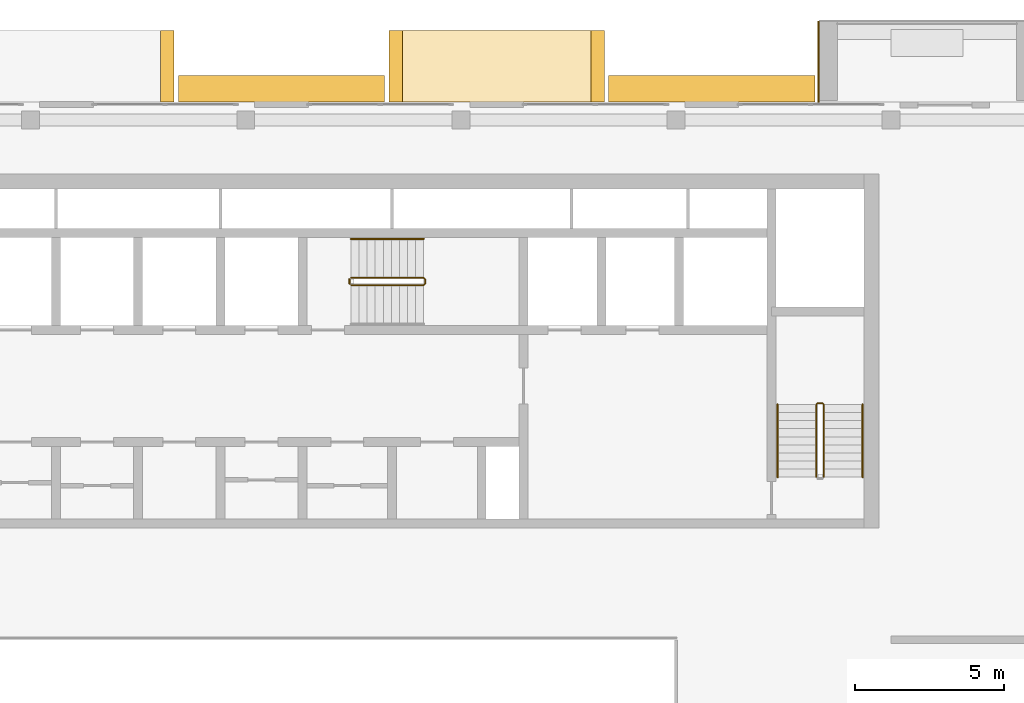
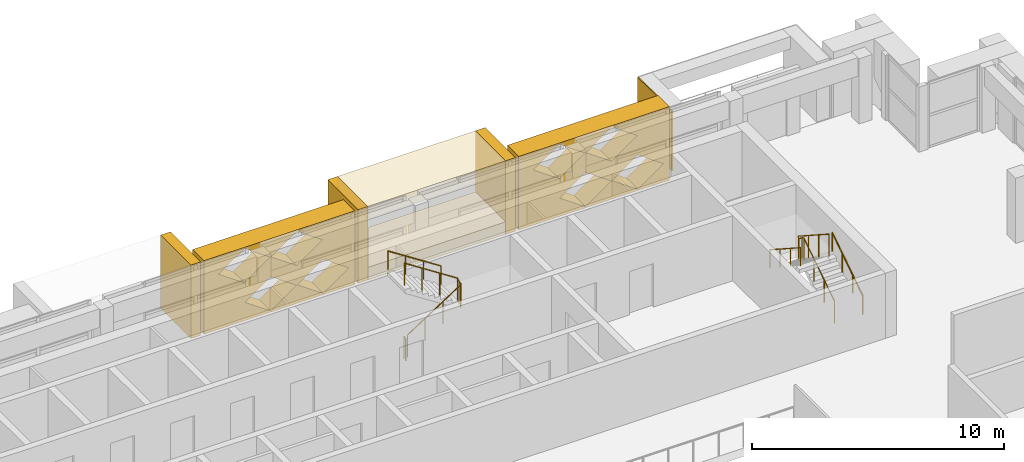
# One storey, part 21 of 22: 8 coverings, 6 railings.
"""IFC4 building model written with IfcOpenShell, lengths in metres."""

import ifcopenshell
import ifcopenshell.guid

model = None  # the IFC model being written
_history = None  # IfcOwnerHistory: only IFC2X3 demands one
_inside = {}  # id of a spatial element -> (the spatial element, [elements in it])
_under = {}  # id of a project, library or spatial element -> (it, [spatial elements below it])
_declared = {}  # id of a project -> (the project, [libraries it declares])
_typed = {}  # id of a type object -> (the type object, [elements of that type])
_made_of = {}  # id of a material, layer set ... -> (it, [elements and type objects made of it])


def new_model(schema):
    """Start an empty IFC model of exactly this schema.

    Asked for "IFC4X3", IfcOpenShell would pick the latest addendum, in which some entities
    have other attributes; the version numbers below select the first issue.
    IFC2X3 requires an IfcOwnerHistory on every rooted entity: one is made here for all.
    """
    global model, _history
    if schema == "IFC4X3":
        model = ifcopenshell.file(schema_version=(4, 3, 0, 0))
    else:
        model = ifcopenshell.file(schema=schema)
    _inside.clear()
    _under.clear()
    _declared.clear()
    _typed.clear()
    _made_of.clear()
    _history = None
    if model.schema == "IFC2X3":
        org = make("IfcOrganization", Name="unknown")
        user = make(
            "IfcPersonAndOrganization",
            ThePerson=make("IfcPerson", FamilyName="unknown"),
            TheOrganization=org,
        )
        app = make(
            "IfcApplication",
            ApplicationDeveloper=org,
            Version="unknown",
            ApplicationFullName="unknown",
            ApplicationIdentifier="unknown",
        )
        _history = make(
            "IfcOwnerHistory",
            OwningUser=user,
            OwningApplication=app,
            ChangeAction="ADDED",
            CreationDate=0,
        )
    return model


def make(cls, **values):
    """One entity of the class cls with the attributes given. An attribute that is None is left unset."""
    return model.create_entity(
        cls, **{name: value for name, value in values.items() if value is not None}
    )


def rooted(cls, **values):
    """An entity with a GlobalId (a new one), such as an element, a storey or a relation."""
    return make(cls, GlobalId=ifcopenshell.guid.new(), OwnerHistory=_history, **values)


def si_unit(unit_type, name, prefix=None):
    """IfcSIUnit, for example si_unit("LENGTHUNIT", "METRE", prefix="MILLI")."""
    return make("IfcSIUnit", UnitType=unit_type, Prefix=prefix, Name=name)


def assignment(units):
    """IfcUnitAssignment: the units of a project."""
    return None if units is None else make("IfcUnitAssignment", Units=units)


def point(xyz):
    """IfcCartesianPoint."""
    return None if xyz is None else make("IfcCartesianPoint", Coordinates=xyz)


def direction(xyz):
    """IfcDirection."""
    return None if xyz is None else make("IfcDirection", DirectionRatios=xyz)


def frame(location, z_axis=None, x_axis=None):
    """IfcAxis2Placement3D, a coordinate frame: its origin and axes. An axis left out is left unset."""
    return make(
        "IfcAxis2Placement3D",
        Location=point(location),
        Axis=direction(z_axis),
        RefDirection=direction(x_axis),
    )


def frame_2d(location, x_axis=None):
    """IfcAxis2Placement2D, a coordinate frame in the plane: its origin and x axis."""
    return make(
        "IfcAxis2Placement2D", Location=point(location), RefDirection=direction(x_axis)
    )


def origin():
    """The frame at (0, 0, 0) with its axes left unset."""
    return frame((0.0, 0.0, 0.0))


def origin_2d():
    """The frame at (0, 0) in the plane with its x axis left unset."""
    return frame_2d((0.0, 0.0))


def place(relative_to, where):
    """IfcLocalPlacement: puts the frame where relative to a parent placement (None: the world)."""
    return make(
        "IfcLocalPlacement", PlacementRelTo=relative_to, RelativePlacement=where
    )


def context(
    kind, dimensions, precision=None, world=None, true_north=None, identifier=None
):
    """IfcGeometricRepresentationContext, for example the 3D "Model" context."""
    return make(
        "IfcGeometricRepresentationContext",
        ContextIdentifier=identifier,
        ContextType=kind,
        CoordinateSpaceDimension=dimensions,
        Precision=precision,
        WorldCoordinateSystem=world,
        TrueNorth=true_north,
    )


def subcontext(parent, identifier, kind, view, scale=None):
    """IfcGeometricRepresentationSubContext, for example "Body" below "Model"."""
    return make(
        "IfcGeometricRepresentationSubContext",
        ContextIdentifier=identifier,
        ContextType=kind,
        ParentContext=parent,
        TargetScale=scale,
        TargetView=view,
    )


def project(units=None, contexts=None):
    """IfcProject with its units and contexts."""
    return rooted(
        "IfcProject",
        Name="project",
        RepresentationContexts=contexts,
        UnitsInContext=assignment(units),
    )


def spatial(cls, under=None, at=None, **own):
    """A site, building, storey or space (cls), placed at a placement, below another one or the project."""
    s = rooted(cls, ObjectPlacement=at, **own)
    if under is not None:
        _under.setdefault(under.id(), (under, []))[1].append(s)
    return s


def polyline(points):
    """IfcPolyline through the points."""
    return make("IfcPolyline", Points=[point(p) for p in points])


def profile(cls, at=None, kind="AREA", **sizes):
    """A parametric profile (cls). Its sizes go by their IFC names, for example OverallWidth=200.0."""
    return make(cls, ProfileType=kind, Position=at, **sizes)


def circle(**sizes):
    """IfcCircleProfileDef."""
    return profile("IfcCircleProfileDef", **sizes)


def outline(outer, holes=None, kind="AREA"):
    """IfcArbitraryClosedProfileDef: a profile drawn as a closed curve; with holes, ...WithVoids."""
    if holes is None:
        return make("IfcArbitraryClosedProfileDef", ProfileType=kind, OuterCurve=outer)
    return make(
        "IfcArbitraryProfileDefWithVoids",
        ProfileType=kind,
        OuterCurve=outer,
        InnerCurves=holes,
    )


def extrude(swept, where, along, depth):
    """IfcExtrudedAreaSolid: the profile swept, set in the frame where, extruded along a direction by depth."""
    return make(
        "IfcExtrudedAreaSolid",
        SweptArea=swept,
        Position=where,
        ExtrudedDirection=direction(along),
        Depth=depth,
    )


def shape(context_of_items, identifier, shape_type, items):
    """IfcShapeRepresentation: the items that make up one representation, for example the "Body"."""
    return make(
        "IfcShapeRepresentation",
        ContextOfItems=context_of_items,
        RepresentationIdentifier=identifier,
        RepresentationType=shape_type,
        Items=items,
    )


def material(Name=None, Category=None):
    """IfcMaterial."""
    return make("IfcMaterial", Name=Name, Category=Category)


def layer(
    of_material, thickness, ventilated=None, Name=None, Category=None, Priority=None
):
    """IfcMaterialLayer: one layer of a wall or slab, of a material (None: an air gap)."""
    return make(
        "IfcMaterialLayer",
        Material=of_material,
        LayerThickness=thickness,
        IsVentilated=ventilated,
        Name=Name,
        Category=Category,
        Priority=Priority,
    )


def layer_set(layers, Name=None):
    """IfcMaterialLayerSet."""
    return make("IfcMaterialLayerSet", MaterialLayers=layers, LayerSetName=Name)


def made_of(thing, what):
    """Note that an element or type object is made of a material, layer set ...; save() writes the relation."""
    if what is not None:
        _made_of.setdefault(what.id(), (what, []))[1].append(thing)
    return thing


def type_object(cls, material=None, **own):
    """A type object (cls), such as IfcWallType, which elements share."""
    return made_of(rooted(cls, **own), material)


def element(
    cls,
    number,
    at=None,
    inside=None,
    cuts=None,
    type_object=None,
    material=None,
    context=None,
    identifier="Body",
    shape_type=None,
    held_by="IfcProductDefinitionShape",
    body=None,
    shapes=None,
    **own,
):
    """One element of the class cls, such as IfcWall. Its Tag is "e" and its number.

    at: its placement. inside: the storey or other place that contains it. cuts: it is an
    opening in that element (IfcRelVoidsElement). A single representation is given by context,
    identifier, shape_type and body (its items); several are given by shapes. held_by: the class
    of the entity that holds the representations. save() writes the other relations.
    """
    e = rooted(cls, Tag="e%d" % number, ObjectPlacement=at, **own)
    if body is not None:
        shapes = [shape(context, identifier, shape_type, body)]
    if shapes is not None:
        e.Representation = make(held_by, Representations=shapes)
    if inside is not None:
        _inside.setdefault(inside.id(), (inside, []))[1].append(e)
    if cuts is not None:
        rooted(
            "IfcRelVoidsElement", RelatingBuildingElement=cuts, RelatedOpeningElement=e
        )
    if type_object is not None:
        _typed.setdefault(type_object.id(), (type_object, []))[1].append(e)
    return made_of(e, material)


def aggregate(whole, parts):
    """IfcRelAggregates: a whole, such as a stair, and the parts it consists of."""
    return rooted("IfcRelAggregates", RelatingObject=whole, RelatedObjects=parts)


def save(model, path):
    """Write the relations noted so far, then the file.

    IfcRelAggregates (storeys below a building ...), IfcRelContainedInSpatialStructure (elements
    in a storey), IfcRelDefinesByType, IfcRelAssociatesMaterial and IfcRelDeclares: one each for
    every whole, place, type object, material and project.
    """
    for whole, parts in _under.values():
        aggregate(whole, parts)
    for where, things in _inside.values():
        rooted(
            "IfcRelContainedInSpatialStructure",
            RelatedElements=things,
            RelatingStructure=where,
        )
    for kind, things in _typed.values():
        rooted("IfcRelDefinesByType", RelatedObjects=things, RelatingType=kind)
    for what, things in _made_of.values():
        rooted("IfcRelAssociatesMaterial", RelatedObjects=things, RelatingMaterial=what)
    for by, libraries in _declared.values():
        rooted("IfcRelDeclares", RelatingContext=by, RelatedDefinitions=libraries)
    model.write(path)


model = new_model("IFC4")

# Units and contexts
model_context = context("Model", 3, precision=1e-05, world=origin(), true_north=direction((0.0, 1.0)))
body_context = subcontext(model_context, "Body", "Model", "MODEL_VIEW")
ifc_project = project(units=[si_unit("LENGTHUNIT", "METRE"), si_unit("AREAUNIT", "SQUARE_METRE"), si_unit("VOLUMEUNIT", "CUBIC_METRE"), si_unit("PLANEANGLEUNIT", "RADIAN"), si_unit("MASSUNIT", "GRAM", prefix="KILO")], contexts=[model_context])

# Site, building, storey
site_placement = place(None, origin())
site = spatial("IfcSite", under=ifc_project, at=site_placement, CompositionType="ELEMENT")
building_placement = place(site_placement, origin())
building = spatial("IfcBuilding", under=site, at=building_placement, Name="Saffron Iwan Residences", CompositionType="ELEMENT")
storey_placement = place(building_placement, frame((0.0, 0.0, 271.0)))
storey = spatial("IfcBuildingStorey", under=building, at=storey_placement, Name="L73", CompositionType="ELEMENT", Elevation=271.0)

# Coverings
ifc_material_1 = material(Name="Precast concrete C40/50 white painted", Category="concrete")
ifc_layer = layer(ifc_material_1, 0.050048828125)
ifc_layer_set = layer_set([ifc_layer], Name="Precast concrete C40/50 white painted")
covering_type_1 = type_object("IfcCoveringType", Name="FRAME SKIN PRECAST WHITE 50", PredefinedType="CLADDING", material=ifc_layer_set)
covering_1_placement = place(storey_placement, origin())
element("IfcCovering", 1, at=covering_1_placement, inside=storey, type_object=covering_type_1, Name="Frame skin fin L73 F5-0b", PredefinedType="CLADDING", context=body_context, shape_type="SweptSolid", body=[
    extrude(outline(polyline([(69.60009765625, 83.10009765625), (69.550048828125, 83.10009765625), (69.550048828125, 80.39990234375), (69.60009765625, 80.39990234375), (69.60009765625, 83.10009765625)])), origin(), (0.0, 0.0, 1.0), 2.90087890625),
])
ifc_material_2 = material(Name="Precast concrete C40/50", Category="concrete")
covering_type_2 = type_object("IfcCoveringType", Name="OUTER SKIN LATTICE SCREEN", PredefinedType="CLADDING", material=ifc_material_2)
for number, where, z_axis, x_axis, name in (
    (2, (69.449951171875, 80.39990234375, -0.40087890625), (0.0, 1.0, 0.0), (-1.0, 0.0, 0.0), "OUTER SKIN lattice screen L73 F5.1"),
    (3, (55.050048828125, 80.39990234375, -0.40087890625), (0.0, 1.0, 0.0), (-1.0, 0.0, 0.0), "OUTER SKIN lattice screen L73 F5.2"),
):
    element("IfcCovering", number, at=place(storey_placement, frame(where, z_axis=z_axis, x_axis=x_axis)), inside=storey, type_object=covering_type_2, Name=name, PredefinedType="CLADDING", context=body_context, shape_type="SweptSolid", body=[
        extrude(outline(polyline([(0.0, 0.0), (6.89990234375, 0.0), (6.89990234375, 3.551025390625), (0.0, 3.551025390625), (0.0, 0.0)]), holes=[polyline([(0.27001953125, 0.8876953125), (1.449951171875, 0.06005859375), (2.6298828125, 0.8876953125), (1.449951171875, 1.715576171875), (0.27001953125, 0.8876953125)]), polyline([(2.669921875, 0.8876953125), (3.85009765625, 0.06005859375), (5.030029296875, 0.8876953125), (3.85009765625, 1.715576171875), (2.669921875, 0.8876953125)]), polyline([(1.469970703125, 2.663330078125), (2.64990234375, 1.83544921875), (3.830078125, 2.663330078125), (2.64990234375, 3.490966796875), (1.469970703125, 2.663330078125)]), polyline([(3.8701171875, 2.663330078125), (5.050048828125, 1.83544921875), (6.22998046875, 2.663330078125), (5.050048828125, 3.490966796875), (3.8701171875, 2.663330078125)])]), origin(), (0.0, 0.0, 1.0), 0.900146484375),
    ])

# Railings
ifc_material_3 = material(Name="Steel S355", Category="steel")
railing_type_1 = type_object("IfcRailingType", Name="Stair guard 1100", PredefinedType="GUARDRAIL", material=ifc_material_3)
railing_1_placement = place(storey_placement, frame((53.925048828125, 74.27490234375, 0.175048828125)))
element("IfcRailing", 4, at=railing_1_placement, inside=storey, type_object=railing_type_1, Name="L73 ST-C stair guard 1", PredefinedType="GUARDRAIL", context=body_context, shape_type="SweptSolid", body=[
    extrude(circle(Radius=0.02392578125, at=origin_2d()), frame((0.0, 0.0, 1.076171875), z_axis=(0.839153699163, 0.0, 0.543894354798), x_axis=(0.0, 1.0, 0.0)), (0.0, 0.0, 1.0), 2.895751953125),
    extrude(circle(Radius=0.02392578125, at=origin_2d()), frame((2.429931640625, 0.0, 2.65087890625), z_axis=(0.707106781187, 0.707106781187, 0.0), x_axis=(-0.707106781187, 0.707106781187, 0.0)), (0.0, 0.0, 1.0), 0.07080078125),
    extrude(circle(Radius=0.02392578125, at=origin_2d()), frame((2.47998046875, 0.050048828125, 2.65087890625), z_axis=(0.0, 1.0, 0.0), x_axis=(-1.0, 0.0, 0.0)), (0.0, 0.0, 1.0), 0.150146484375),
    extrude(circle(Radius=0.02392578125, at=origin_2d()), frame((2.47998046875, 0.2001953125, 2.65087890625), z_axis=(-0.265155923931, 0.263862480399, 0.927399011991), x_axis=(-0.705375805398, -0.708833529934, 0.0)), (0.0, 0.0, 1.0), 0.188720703125),
    extrude(circle(Radius=0.02392578125, at=origin_2d()), frame((2.429931640625, 0.25, 2.826171875), z_axis=(-0.839153699163, 0.0, 0.543894354798), x_axis=(0.0, -1.0, 0.0)), (0.0, 0.0, 1.0), 2.895751953125),
    extrude(circle(Radius=0.02099609375, at=origin_2d()), origin(), (0.0, 0.0, 1.0), 1.052001953125),
    extrude(circle(Radius=0.02099609375, at=origin_2d()), frame((0.81005859375, 0.0, 0.52490234375)), (0.0, 0.0, 1.0), 1.052001953125),
    extrude(circle(Radius=0.02099609375, at=origin_2d()), frame((1.619873046875, 0.0, 1.050048828125)), (0.0, 0.0, 1.0), 1.052001953125),
    extrude(circle(Radius=0.02099609375, at=origin_2d()), frame((2.429931640625, 0.0, 1.574951171875)), (0.0, 0.0, 1.0), 1.052001953125),
    extrude(circle(Radius=0.02099609375, at=origin_2d()), frame((2.47998046875, 0.050048828125, 1.574951171875)), (0.0, 0.0, 1.0), 1.052001953125),
    extrude(circle(Radius=0.02099609375, at=origin_2d()), frame((2.47998046875, 0.2001953125, 1.574951171875)), (0.0, 0.0, 1.0), 1.052001953125),
    extrude(circle(Radius=0.02099609375, at=origin_2d()), frame((2.429931640625, 0.25, 1.75)), (0.0, 0.0, 1.0), 1.052001953125),
    extrude(circle(Radius=0.02099609375, at=origin_2d()), frame((1.619873046875, 0.25, 2.27490234375)), (0.0, 0.0, 1.0), 1.052001953125),
    extrude(circle(Radius=0.02099609375, at=origin_2d()), frame((0.81005859375, 0.25, 2.800048828125)), (0.0, 0.0, 1.0), 1.052001953125),
    extrude(circle(Radius=0.02099609375, at=origin_2d()), frame((0.0, 0.25, 3.324951171875)), (0.0, 0.0, 1.0), 1.052001953125),
])
railing_2_placement = place(storey_placement, frame((53.875, 74.324951171875, 0.0)))
element("IfcRailing", 5, at=railing_2_placement, inside=storey, type_object=railing_type_1, Name="L73 ST-C stair guard 2", PredefinedType="GUARDRAIL", context=body_context, shape_type="SweptSolid", body=[
    extrude(circle(Radius=0.02392578125, at=origin_2d()), frame((0.0, 0.0, 1.076171875), z_axis=(0.0, 1.0, 0.0), x_axis=(-1.0, 0.0, 0.0)), (0.0, 0.0, 1.0), 0.150146484375),
    extrude(circle(Radius=0.02099609375, at=origin_2d()), origin(), (0.0, 0.0, 1.0), 1.052001953125),
    extrude(circle(Radius=0.02099609375, at=origin_2d()), frame((0.0, 0.150146484375, 0.0)), (0.0, 0.0, 1.0), 1.052001953125),
])
railing_3_placement = place(storey_placement, frame((69.75, 67.85009765625, 0.175048828125)))
element("IfcRailing", 6, at=railing_3_placement, inside=storey, type_object=railing_type_1, Name="L73 ST-E stair guard 1", PredefinedType="GUARDRAIL", context=body_context, shape_type="SweptSolid", body=[
    extrude(circle(Radius=0.02392578125, at=origin_2d()), frame((0.0, 0.0, 1.076171875), z_axis=(0.0, 0.839153699163, 0.543894354798), x_axis=(-1.0, 0.0, 0.0)), (0.0, 0.0, 1.0), 2.895751953125),
    extrude(circle(Radius=0.02392578125, at=origin_2d()), frame((0.0, 2.429931640625, 2.65087890625), z_axis=(-0.707106781187, 0.707106781187, 0.0), x_axis=(-0.707106781187, -0.707106781187, 0.0)), (0.0, 0.0, 1.0), 0.07080078125),
    extrude(circle(Radius=0.02392578125, at=origin_2d()), frame((-0.050048828125, 2.47998046875, 2.65087890625), z_axis=(-1.0, 0.0, 0.0), x_axis=(0.0, -1.0, 0.0)), (0.0, 0.0, 1.0), 0.14990234375),
    extrude(circle(Radius=0.02392578125, at=origin_2d()), frame((-0.199951171875, 2.47998046875, 2.65087890625), z_axis=(-0.265065253269, -0.265065253269, 0.927081885822), x_axis=(0.707106781187, -0.707106781187, 0.0)), (0.0, 0.0, 1.0), 0.188720703125),
    extrude(circle(Radius=0.02392578125, at=origin_2d()), frame((-0.25, 2.429931640625, 2.826171875), z_axis=(0.0, -0.839153699163, 0.543894354798), x_axis=(1.0, 0.0, 0.0)), (0.0, 0.0, 1.0), 2.895751953125),
    extrude(circle(Radius=0.02099609375, at=origin_2d()), origin(), (0.0, 0.0, 1.0), 1.052001953125),
    extrude(circle(Radius=0.02099609375, at=origin_2d()), frame((0.0, 0.81005859375, 0.52490234375)), (0.0, 0.0, 1.0), 1.052001953125),
    extrude(circle(Radius=0.02099609375, at=origin_2d()), frame((0.0, 1.619873046875, 1.050048828125)), (0.0, 0.0, 1.0), 1.052001953125),
    extrude(circle(Radius=0.02099609375, at=origin_2d()), frame((0.0, 2.429931640625, 1.574951171875)), (0.0, 0.0, 1.0), 1.052001953125),
    extrude(circle(Radius=0.02099609375, at=origin_2d()), frame((-0.050048828125, 2.47998046875, 1.574951171875)), (0.0, 0.0, 1.0), 1.052001953125),
    extrude(circle(Radius=0.02099609375, at=origin_2d()), frame((-0.199951171875, 2.47998046875, 1.574951171875)), (0.0, 0.0, 1.0), 1.052001953125),
    extrude(circle(Radius=0.02099609375, at=origin_2d()), frame((-0.25, 2.429931640625, 1.75)), (0.0, 0.0, 1.0), 1.052001953125),
    extrude(circle(Radius=0.02099609375, at=origin_2d()), frame((-0.25, 1.619873046875, 2.27490234375)), (0.0, 0.0, 1.0), 1.052001953125),
    extrude(circle(Radius=0.02099609375, at=origin_2d()), frame((-0.25, 0.81005859375, 2.800048828125)), (0.0, 0.0, 1.0), 1.052001953125),
    extrude(circle(Radius=0.02099609375, at=origin_2d()), frame((-0.25, 0.0, 3.324951171875)), (0.0, 0.0, 1.0), 1.052001953125),
])
ifc_material_4 = material(Name="Stainless steel 316", Category="steel")
railing_type_2 = type_object("IfcRailingType", Name="Stair handrail 900", PredefinedType="HANDRAIL", material=ifc_material_4)
railing_4_placement = place(storey_placement, frame((56.35498046875, 75.824951171875, 1.925048828125)))
element("IfcRailing", 7, at=railing_4_placement, inside=storey, type_object=railing_type_2, Name="L73 ST-C stair handrail 2", PredefinedType="HANDRAIL", context=body_context, shape_type="SweptSolid", body=[
    extrude(circle(Radius=0.02392578125, at=origin_2d()), frame((0.0, 0.0, 0.8759765625), z_axis=(-0.839153699163, 0.0, 0.543894354798), x_axis=(0.0, -1.0, 0.0)), (0.0, 0.0, 1.0), 2.895751953125),
    extrude(circle(Radius=0.02099609375, at=origin_2d()), origin(), (0.0, 0.0, 1.0), 0.851806640625),
    extrude(circle(Radius=0.02099609375, at=origin_2d()), frame((-0.81005859375, 0.0, 0.52490234375)), (0.0, 0.0, 1.0), 0.851806640625),
    extrude(circle(Radius=0.02099609375, at=origin_2d()), frame((-1.619873046875, 0.0, 1.050048828125)), (0.0, 0.0, 1.0), 0.851806640625),
    extrude(circle(Radius=0.02099609375, at=origin_2d()), frame((-2.429931640625, 0.0, 1.574951171875)), (0.0, 0.0, 1.0), 0.851806640625),
])
railing_5_placement = place(storey_placement, frame((71.050048828125, 67.85009765625, 0.175048828125)))
element("IfcRailing", 8, at=railing_5_placement, inside=storey, type_object=railing_type_2, Name="L73 ST-E stair handrail 1", PredefinedType="HANDRAIL", context=body_context, shape_type="SweptSolid", body=[
    extrude(circle(Radius=0.02392578125, at=origin_2d()), frame((0.0, 0.0, 0.8759765625), z_axis=(0.0, 0.839153699163, 0.543894354798), x_axis=(-1.0, 0.0, 0.0)), (0.0, 0.0, 1.0), 2.895751953125),
    extrude(circle(Radius=0.02099609375, at=origin_2d()), origin(), (0.0, 0.0, 1.0), 0.851806640625),
    extrude(circle(Radius=0.02099609375, at=origin_2d()), frame((0.0, 0.81005859375, 0.52490234375)), (0.0, 0.0, 1.0), 0.851806640625),
    extrude(circle(Radius=0.02099609375, at=origin_2d()), frame((0.0, 1.619873046875, 1.050048828125)), (0.0, 0.0, 1.0), 0.851806640625),
    extrude(circle(Radius=0.02099609375, at=origin_2d()), frame((0.0, 2.429931640625, 1.574951171875)), (0.0, 0.0, 1.0), 0.851806640625),
])
railing_6_placement = place(storey_placement, frame((68.199951171875, 70.280029296875, 1.925048828125)))
element("IfcRailing", 9, at=railing_6_placement, inside=storey, type_object=railing_type_2, Name="L73 ST-E stair handrail 2", PredefinedType="HANDRAIL", context=body_context, shape_type="SweptSolid", body=[
    extrude(circle(Radius=0.02392578125, at=origin_2d()), frame((0.0, 0.0, 0.8759765625), z_axis=(0.0, -0.839153699163, 0.543894354798), x_axis=(1.0, 0.0, 0.0)), (0.0, 0.0, 1.0), 2.895751953125),
    extrude(circle(Radius=0.02099609375, at=origin_2d()), origin(), (0.0, 0.0, 1.0), 0.851806640625),
    extrude(circle(Radius=0.02099609375, at=origin_2d()), frame((0.0, -0.81005859375, 0.52490234375)), (0.0, 0.0, 1.0), 0.851806640625),
    extrude(circle(Radius=0.02099609375, at=origin_2d()), frame((0.0, -1.619873046875, 1.050048828125)), (0.0, 0.0, 1.0), 0.851806640625),
    extrude(circle(Radius=0.02099609375, at=origin_2d()), frame((0.0, -2.429931640625, 1.574951171875)), (0.0, 0.0, 1.0), 0.851806640625),
])

# Coverings
covering_type_3 = type_object("IfcCoveringType", Name="WHITE SUN FRAME PRECAST", PredefinedType="CLADDING", material=ifc_material_1)
for number, where, z_axis, x_axis, name in (
    (10, (62.39990234375, 80.39990234375, -0.40087890625), (0.0, 1.0, 0.0), (-1.0, 0.0, 0.0), "Sun frame L73 F5 16.4a"),
    (11, (55.64990234375, 80.39990234375, -0.40087890625), (0.0, 1.0, 0.0), (-1.0, 0.0, 0.0), "Sun frame L73 F5 16.4b"),
):
    element("IfcCovering", number, at=place(storey_placement, frame(where, z_axis=z_axis, x_axis=x_axis)), inside=storey, type_object=covering_type_3, Name=name, PredefinedType="CLADDING", context=body_context, shape_type="SweptSolid", body=[
        extrude(outline(polyline([(0.0, 0.0), (0.449951171875, 0.0), (0.449951171875, 3.551025390625), (0.0, 3.551025390625), (0.0, 0.0)])), origin(), (0.0, 0.0, 1.0), 2.400146484375),
    ])
for number, where, z_axis, x_axis, name in (
    (12, (61.949951171875, 80.39990234375, 2.550048828125), (0.0, 1.0, 0.0), (-1.0, 0.0, 0.0), "Sun frame L73 F5 16.4h"),
    (13, (61.949951171875, 80.39990234375, -0.40087890625), (0.0, 1.0, 0.0), (-1.0, 0.0, 0.0), "Sun frame L73 F5 16.4s"),
):
    element("IfcCovering", number, at=place(storey_placement, frame(where, z_axis=z_axis, x_axis=x_axis)), inside=storey, type_object=covering_type_3, Name=name, PredefinedType="CLADDING", context=body_context, shape_type="SweptSolid", body=[
        extrude(outline(polyline([(0.0, 0.0), (6.300048828125, 0.0), (6.300048828125, 0.60009765625), (0.0, 0.60009765625), (0.0, 0.0)])), origin(), (0.0, 0.0, 1.0), 2.400146484375),
    ])
covering_2_placement = place(storey_placement, frame((48.0, 80.39990234375, -0.40087890625), z_axis=(0.0, 1.0, 0.0), x_axis=(-1.0, 0.0, 0.0)))
element("IfcCovering", 14, at=covering_2_placement, inside=storey, type_object=covering_type_3, Name="Sun frame L73 F5 30.8a", PredefinedType="CLADDING", context=body_context, shape_type="SweptSolid", body=[
    extrude(outline(polyline([(0.0, 0.0), (0.449951171875, 0.0), (0.449951171875, 3.551025390625), (0.0, 3.551025390625), (0.0, 0.0)])), origin(), (0.0, 0.0, 1.0), 2.400146484375),
])

save(model, "model.ifc")
